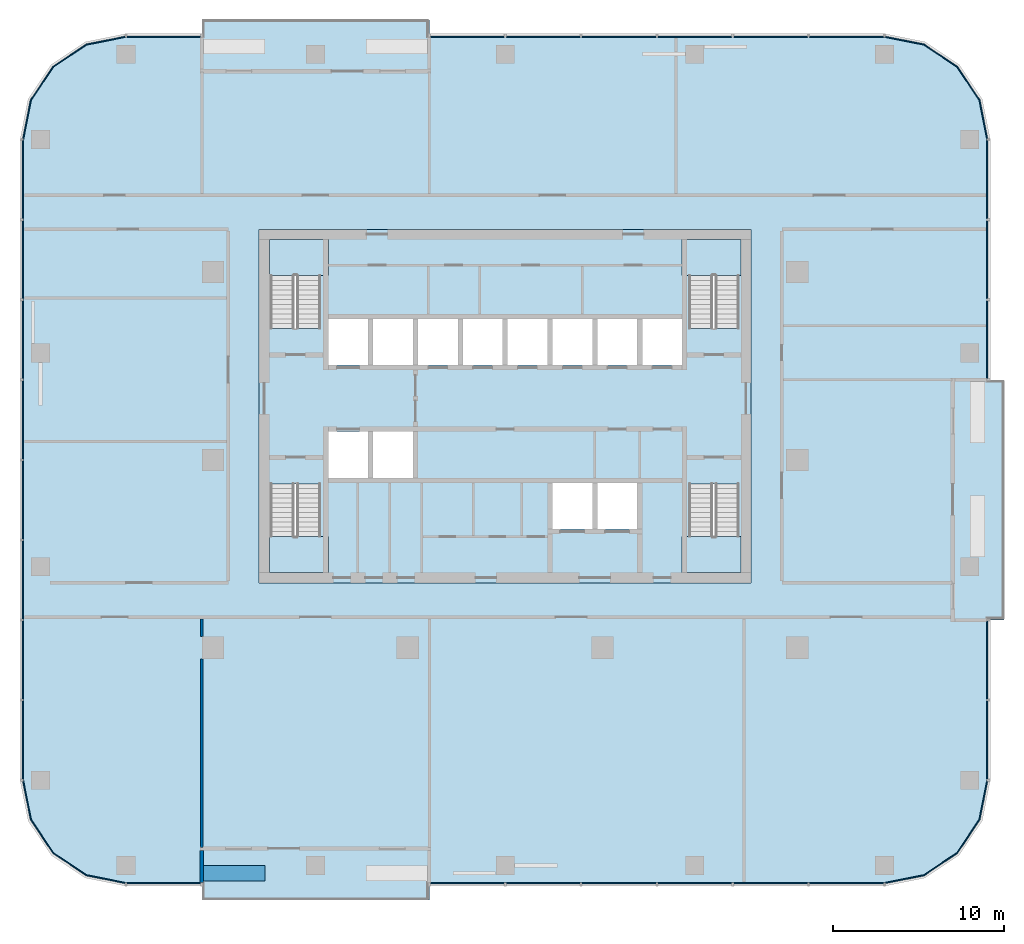
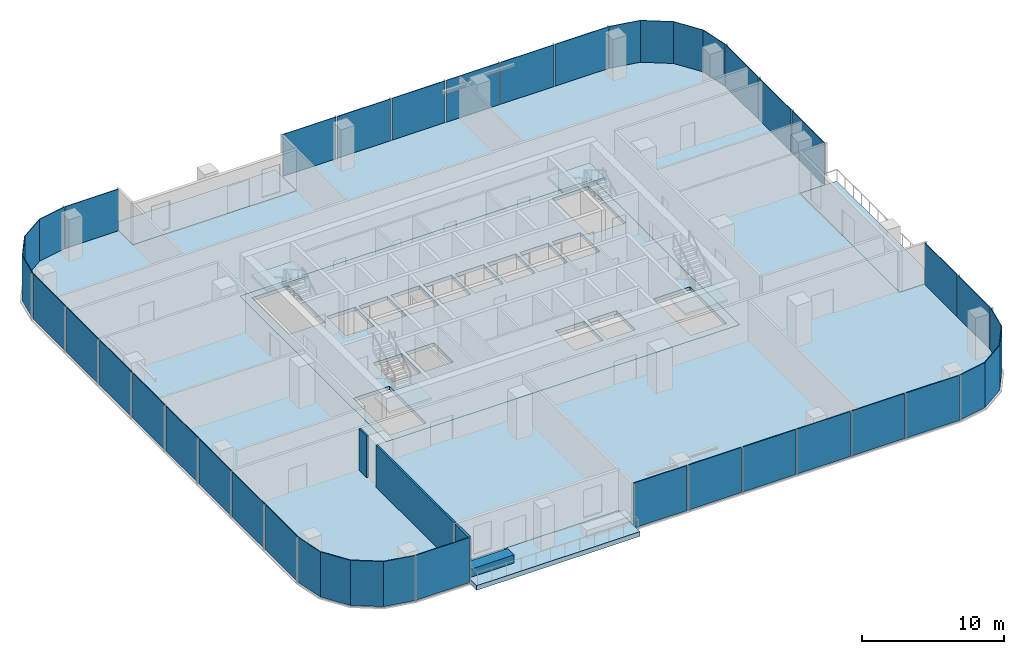
# One storey, part 6 of 14: 31 plates, 9 slabs, 4 walls, 15 elements without a shape of their own.
"""IFC4 building model written with IfcOpenShell, lengths in metres."""

from ifc_helpers import new_model, si_unit, direction, frame, frame_2d, origin, origin_2d, place, context, subcontext, project, spatial, polyline, rectangle, outline, extrude, material, layer, layer_set, type_object, element, aggregate, save


model = new_model("IFC4")

# Units and contexts
model_context = context("Model", 3, precision=1e-05, world=origin(), true_north=direction((0.0, 1.0)))
body_context = subcontext(model_context, "Body", "Model", "MODEL_VIEW")
ifc_project = project(units=[si_unit("LENGTHUNIT", "METRE"), si_unit("AREAUNIT", "SQUARE_METRE"), si_unit("VOLUMEUNIT", "CUBIC_METRE"), si_unit("PLANEANGLEUNIT", "RADIAN"), si_unit("MASSUNIT", "GRAM", prefix="KILO")], contexts=[model_context])

# Site, building, storey
site_placement = place(None, origin())
site = spatial("IfcSite", under=ifc_project, at=site_placement, CompositionType="ELEMENT")
building_placement = place(site_placement, origin())
building = spatial("IfcBuilding", under=site, at=building_placement, Name="Mopane Tessera Tower", CompositionType="ELEMENT")
storey_placement = place(building_placement, frame((0.0, 0.0, 231.0)))
storey = spatial("IfcBuildingStorey", under=building, at=storey_placement, Name="L49", CompositionType="ELEMENT", Elevation=231.0)

# Slab
ifc_material_1 = material(Name="Concrete C40/50", Category="concrete")
ifc_layer_1 = layer(ifc_material_1, 0.300048828125)
ifc_layer_set_1 = layer_set([ifc_layer_1], Name="Concrete C40/50")
slab_type_1 = type_object("IfcSlabType", Name="Core floor slab 300 mm", PredefinedType="FLOOR", material=ifc_layer_set_1)
slab_1_placement = place(storey_placement, frame((0.0, 0.0, -0.300048828125)))
element("IfcSlab", 1, at=slab_1_placement, inside=storey, type_object=slab_type_1, Name="L49 core floor slab", PredefinedType="FLOOR", context=body_context, shape_type="SweptSolid", body=[
    extrude(outline(polyline([(-14.39990234375, -7.199951171875), (14.39990234375, -7.199951171875), (14.39990234375, 13.5), (-14.39990234375, 13.5), (-14.39990234375, -7.199951171875)]), holes=[polyline([(-10.35009765625, -1.050048828125), (-8.02490234375, -1.050048828125), (-8.02490234375, 1.64990234375), (-10.35009765625, 1.64990234375), (-10.35009765625, -1.050048828125)]), polyline([(-7.72509765625, -1.050048828125), (-5.39990234375, -1.050048828125), (-5.39990234375, 1.64990234375), (-7.72509765625, 1.64990234375), (-7.72509765625, -1.050048828125)]), polyline([(-10.35009765625, 5.550048828125), (-8.02490234375, 5.550048828125), (-8.02490234375, 8.25), (-10.35009765625, 8.25), (-10.35009765625, 5.550048828125)]), polyline([(-7.72509765625, 5.550048828125), (-5.39990234375, 5.550048828125), (-5.39990234375, 8.25), (-7.72509765625, 8.25), (-7.72509765625, 5.550048828125)]), polyline([(-5.10009765625, 5.550048828125), (-2.77490234375, 5.550048828125), (-2.77490234375, 8.25), (-5.10009765625, 8.25), (-5.10009765625, 5.550048828125)]), polyline([(-2.47509765625, 5.550048828125), (-0.14990234375, 5.550048828125), (-0.14990234375, 8.25), (-2.47509765625, 8.25), (-2.47509765625, 5.550048828125)]), polyline([(0.14990234375, 5.550048828125), (2.47509765625, 5.550048828125), (2.47509765625, 8.25), (0.14990234375, 8.25), (0.14990234375, 5.550048828125)]), polyline([(2.77490234375, 5.550048828125), (5.10009765625, 5.550048828125), (5.10009765625, 8.25), (2.77490234375, 8.25), (2.77490234375, 5.550048828125)]), polyline([(5.39990234375, 5.550048828125), (7.72509765625, 5.550048828125), (7.72509765625, 8.25), (5.39990234375, 8.25), (5.39990234375, 5.550048828125)]), polyline([(8.02490234375, 5.550048828125), (10.35009765625, 5.550048828125), (10.35009765625, 8.25), (8.02490234375, 8.25), (8.02490234375, 5.550048828125)]), polyline([(2.77490234375, -4.050048828125), (5.10009765625, -4.050048828125), (5.10009765625, -1.35009765625), (2.77490234375, -1.35009765625), (2.77490234375, -4.050048828125)]), polyline([(5.39990234375, -4.050048828125), (7.72509765625, -4.050048828125), (7.72509765625, -1.35009765625), (5.39990234375, -1.35009765625), (5.39990234375, -4.050048828125)]), polyline([(-13.75, -1.405029296875), (-13.75, -6.60009765625), (-10.800048828125, -6.60009765625), (-10.800048828125, -1.405029296875), (-13.75, -1.405029296875)]), polyline([(-10.800048828125, 7.705078125), (-10.800048828125, 12.89990234375), (-13.75, 12.89990234375), (-13.75, 7.705078125), (-10.800048828125, 7.705078125)]), polyline([(10.75, -1.405029296875), (10.75, -6.60009765625), (13.699951171875, -6.60009765625), (13.699951171875, -1.405029296875), (10.75, -1.405029296875)]), polyline([(13.699951171875, 7.705078125), (13.699951171875, 12.89990234375), (10.75, 12.89990234375), (10.75, 7.705078125), (13.699951171875, 7.705078125)])]), origin(), (0.0, 0.0, 1.0), 0.300048828125),
])

# Stair, slab
ifc_material_2 = material(Name="Concrete C50/60", Category="concrete")
stair_type = type_object("IfcStairType", Name="Escape stair 1400 mm, riser 167 mm", PredefinedType="HALF_TURN_STAIR", material=ifc_material_2)
stair_1_placement = place(storey_placement, origin())
stair_1 = element("IfcStair", 2, at=stair_1_placement, inside=storey, type_object=stair_type, Name="L49 Escape stair south-west", PredefinedType="HALF_TURN_STAIR")
ifc_material_3 = material(Name="Concrete C50/60", Category="concrete")
ifc_layer_2 = layer(ifc_material_3, 0.199951171875)
ifc_layer_set_2 = layer_set([ifc_layer_2], Name="Concrete C50/60")
slab_type_2 = type_object("IfcSlabType", Name="Escape stair landing 200 mm", PredefinedType="LANDING", material=ifc_layer_set_2)
slab_2_placement = place(storey_placement, frame((0.0, 0.0, 1.800048828125)))
slab_2 = element("IfcSlab", 3, at=slab_2_placement, type_object=slab_type_2, Name="ST1 landing 1", PredefinedType="LANDING", context=body_context, shape_type="SweptSolid", body=[
    extrude(outline(polyline([(-13.800048828125, -4.47998046875), (-13.800048828125, -6.60009765625), (-10.35009765625, -6.60009765625), (-10.35009765625, -4.47998046875), (-13.800048828125, -4.47998046875)])), origin(), (0.0, 0.0, 1.0), 0.199951171875),
])
aggregate(stair_1, [slab_2])

stair_2_placement = place(storey_placement, origin())
stair_2 = element("IfcStair", 4, at=stair_2_placement, inside=storey, type_object=stair_type, Name="L49 Escape stair north-west", PredefinedType="HALF_TURN_STAIR")
slab_3_placement = place(storey_placement, frame((0.0, 0.0, 1.800048828125)))
slab_3 = element("IfcSlab", 5, at=slab_3_placement, type_object=slab_type_2, Name="ST2 landing 1", PredefinedType="LANDING", context=body_context, shape_type="SweptSolid", body=[
    extrude(outline(polyline([(-10.35009765625, 10.780029296875), (-10.35009765625, 12.89990234375), (-13.800048828125, 12.89990234375), (-13.800048828125, 10.780029296875), (-10.35009765625, 10.780029296875)])), origin(), (0.0, 0.0, 1.0), 0.199951171875),
])
aggregate(stair_2, [slab_3])

stair_3_placement = place(storey_placement, origin())
stair_3 = element("IfcStair", 6, at=stair_3_placement, inside=storey, type_object=stair_type, Name="L49 Escape stair south-east", PredefinedType="HALF_TURN_STAIR")
slab_4_placement = place(storey_placement, frame((0.0, 0.0, 1.800048828125)))
slab_4 = element("IfcSlab", 7, at=slab_4_placement, type_object=slab_type_2, Name="ST3 landing 1", PredefinedType="LANDING", context=body_context, shape_type="SweptSolid", body=[
    extrude(outline(polyline([(10.35009765625, -4.47998046875), (10.35009765625, -6.60009765625), (13.800048828125, -6.60009765625), (13.800048828125, -4.47998046875), (10.35009765625, -4.47998046875)])), origin(), (0.0, 0.0, 1.0), 0.199951171875),
])
aggregate(stair_3, [slab_4])

stair_4_placement = place(storey_placement, origin())
stair_4 = element("IfcStair", 8, at=stair_4_placement, inside=storey, type_object=stair_type, Name="L49 Escape stair north-east", PredefinedType="HALF_TURN_STAIR")
slab_5_placement = place(storey_placement, frame((0.0, 0.0, 1.800048828125)))
slab_5 = element("IfcSlab", 9, at=slab_5_placement, type_object=slab_type_2, Name="ST4 landing 1", PredefinedType="LANDING", context=body_context, shape_type="SweptSolid", body=[
    extrude(outline(polyline([(13.800048828125, 10.780029296875), (13.800048828125, 12.89990234375), (10.35009765625, 12.89990234375), (10.35009765625, 10.780029296875), (13.800048828125, 10.780029296875)])), origin(), (0.0, 0.0, 1.0), 0.199951171875),
])
aggregate(stair_4, [slab_5])

# Slabs
ifc_material_4 = material(Name="Concrete C40/50", Category="concrete")
ifc_layer_3 = layer(ifc_material_4, 0.39990234375)
ifc_layer_set_3 = layer_set([ifc_layer_3], Name="Concrete C40/50")
slab_type_3 = type_object("IfcSlabType", Name="Planted terrace slab 400 mm", PredefinedType="FLOOR", material=ifc_layer_set_3)
slab_6_placement = place(storey_placement, frame((0.0, 0.0, -0.39990234375)))
element("IfcSlab", 10, at=slab_6_placement, inside=storey, type_object=slab_type_3, Name="Terrace slab N1 L49", PredefinedType="FLOOR", context=body_context, shape_type="SweptSolid", body=[
    extrude(outline(polyline([(-4.43994140625, -25.75), (-4.43994140625, -22.75), (-17.760009765625, -22.75), (-17.760009765625, -25.75), (-4.43994140625, -25.75)])), origin(), (0.0, 0.0, 1.0), 0.39990234375),
])
slab_7_placement = place(storey_placement, frame((0.0, 0.0, -0.39990234375)))
element("IfcSlab", 11, at=slab_7_placement, inside=storey, type_object=slab_type_3, Name="Terrace slab N2 L49", PredefinedType="FLOOR", context=body_context, shape_type="SweptSolid", body=[
    extrude(outline(polyline([(29.199951171875, 4.6875), (26.199951171875, 4.6875), (26.199951171875, -9.375), (29.199951171875, -9.375), (29.199951171875, 4.6875)])), origin(), (0.0, 0.0, 1.0), 0.39990234375),
])
slab_8_placement = place(storey_placement, frame((0.0, 0.0, -0.39990234375)))
element("IfcSlab", 12, at=slab_8_placement, inside=storey, type_object=slab_type_3, Name="Terrace slab N3 L49", PredefinedType="FLOOR", context=body_context, shape_type="SweptSolid", body=[
    extrude(outline(polyline([(-17.760009765625, 25.75), (-17.760009765625, 22.75), (-4.43994140625, 22.75), (-4.43994140625, 25.75), (-17.760009765625, 25.75)])), origin(), (0.0, 0.0, 1.0), 0.39990234375),
])
ifc_material_5 = material(Name="Concrete C40/50", Category="concrete")
ifc_layer_4 = layer(ifc_material_5, 0.39990234375)
ifc_layer_set_4 = layer_set([ifc_layer_4], Name="Concrete C40/50")
slab_type_4 = type_object("IfcSlabType", Name="Post-tensioned flat plate 400 mm", PredefinedType="FLOOR", material=ifc_layer_set_4)
slab_9_placement = place(storey_placement, frame((0.0, 0.0, -0.39990234375)))
element("IfcSlab", 13, at=slab_9_placement, inside=storey, type_object=slab_type_4, Name="Floor slab L49", PredefinedType="FLOOR", context=body_context, shape_type="SweptSolid", body=[
    extrude(outline(polyline([(-22.199951171875, -24.75), (-17.760009765625, -24.75), (-17.760009765625, -22.75), (-4.43994140625, -22.75), (-4.43994140625, -24.75), (22.199951171875, -24.75), (24.49609375, -24.293212890625), (26.442626953125, -22.99267578125), (27.7431640625, -21.046142578125), (28.199951171875, -18.75), (28.199951171875, -9.375), (26.199951171875, -9.375), (26.199951171875, 4.6875), (28.199951171875, 4.6875), (28.199951171875, 18.75), (27.7431640625, 21.046142578125), (26.442626953125, 22.99267578125), (24.49609375, 24.293212890625), (22.199951171875, 24.75), (-4.43994140625, 24.75), (-4.43994140625, 22.75), (-17.760009765625, 22.75), (-17.760009765625, 24.75), (-22.199951171875, 24.75), (-24.49609375, 24.293212890625), (-26.442626953125, 22.99267578125), (-27.7431640625, 21.046142578125), (-28.199951171875, 18.75), (-28.199951171875, -18.75), (-27.7431640625, -21.046142578125), (-26.442626953125, -22.99267578125), (-24.49609375, -24.293212890625), (-22.199951171875, -24.75)]), holes=[polyline([(14.39990234375, -7.199951171875), (-14.39990234375, -7.199951171875), (-14.39990234375, 13.5), (14.39990234375, 13.5), (14.39990234375, -7.199951171875)])]), origin(), (0.0, 0.0, 1.0), 0.39990234375),
])

# Curtain wall, plate
ifc_material_6 = material(Name="Aluminium frame", Category="aluminium")
curtain_wall_type = type_object("IfcCurtainWallType", Name="Unitised curtain wall", PredefinedType="NOTDEFINED", material=ifc_material_6)
curtain_wall_1_placement = place(storey_placement, origin())
curtain_wall_1 = element("IfcCurtainWall", 14, at=curtain_wall_1_placement, inside=storey, type_object=curtain_wall_type, Name="e:cw:L49:S:0", PredefinedType="NOTDEFINED")
ifc_material_7 = material(Name="Clear laminated glass", Category="glass")
ifc_layer_5 = layer(ifc_material_7, 0.06005859375)
ifc_layer_set_5 = layer_set([ifc_layer_5], Name="Clear laminated glass")
plate_type = type_object("IfcPlateType", Name="Unitised glazed unit", PredefinedType="CURTAIN_PANEL", material=ifc_layer_set_5)
plate_1_placement = place(storey_placement, frame((-19.97998046875, -24.780029296875, -0.280029296875), z_axis=(0.0, 0.0, 1.0), x_axis=(1.0, 0.0, 0.0)))
plate_1 = element("IfcPlate", 15, at=plate_1_placement, type_object=plate_type, Name="e:cw:L49:S:0:pn0", PredefinedType="CURTAIN_PANEL", context=body_context, shape_type="SweptSolid", body=[
    extrude(rectangle(XDim=4.340087890625, YDim=0.06005859375, at=origin_2d()), origin(), (0.0, 0.0, 1.0), 3.8798828125),
])
aggregate(curtain_wall_1, [plate_1])

# Curtain wall, plates
curtain_wall_2_placement = place(storey_placement, origin())
curtain_wall_2 = element("IfcCurtainWall", 16, at=curtain_wall_2_placement, inside=storey, type_object=curtain_wall_type, Name="e:cw:L49:S:4", PredefinedType="NOTDEFINED")
plate_2_placement = place(storey_placement, frame((-2.219970703125, -24.780029296875, -0.280029296875), z_axis=(0.0, 0.0, 1.0), x_axis=(1.0, 0.0, 0.0)))
plate_2 = element("IfcPlate", 17, at=plate_2_placement, type_object=plate_type, Name="e:cw:L49:S:4:pn4", PredefinedType="CURTAIN_PANEL", context=body_context, shape_type="SweptSolid", body=[
    extrude(rectangle(XDim=4.340087890625, YDim=0.06005859375, at=origin_2d()), origin(), (0.0, 0.0, 1.0), 3.8798828125),
])
plate_3_placement = place(storey_placement, frame((2.219970703125, -24.780029296875, -0.280029296875), z_axis=(0.0, 0.0, 1.0), x_axis=(1.0, 0.0, 0.0)))
plate_3 = element("IfcPlate", 18, at=plate_3_placement, type_object=plate_type, Name="e:cw:L49:S:4:pn5", PredefinedType="CURTAIN_PANEL", context=body_context, shape_type="SweptSolid", body=[
    extrude(rectangle(XDim=4.340087890625, YDim=0.06005859375, at=origin_2d()), origin(), (0.0, 0.0, 1.0), 3.8798828125),
])
plate_4_placement = place(storey_placement, frame((6.659912109375, -24.780029296875, -0.280029296875), z_axis=(0.0, 0.0, 1.0), x_axis=(1.0, 0.0, 0.0)))
plate_4 = element("IfcPlate", 19, at=plate_4_placement, type_object=plate_type, Name="e:cw:L49:S:4:pn6", PredefinedType="CURTAIN_PANEL", context=body_context, shape_type="SweptSolid", body=[
    extrude(rectangle(XDim=4.340087890625, YDim=0.06005859375, at=origin_2d()), origin(), (0.0, 0.0, 1.0), 3.8798828125),
])
plate_5_placement = place(storey_placement, frame((11.10009765625, -24.780029296875, -0.280029296875), z_axis=(0.0, 0.0, 1.0), x_axis=(1.0, 0.0, 0.0)))
plate_5 = element("IfcPlate", 20, at=plate_5_placement, type_object=plate_type, Name="e:cw:L49:S:4:pn7", PredefinedType="CURTAIN_PANEL", context=body_context, shape_type="SweptSolid", body=[
    extrude(rectangle(XDim=4.340087890625, YDim=0.06005859375, at=origin_2d()), origin(), (0.0, 0.0, 1.0), 3.8798828125),
])
plate_6_placement = place(storey_placement, frame((15.5400390625, -24.780029296875, -0.280029296875), z_axis=(0.0, 0.0, 1.0), x_axis=(1.0, 0.0, 0.0)))
plate_6 = element("IfcPlate", 21, at=plate_6_placement, type_object=plate_type, Name="e:cw:L49:S:4:pn8", PredefinedType="CURTAIN_PANEL", context=body_context, shape_type="SweptSolid", body=[
    extrude(rectangle(XDim=4.340087890625, YDim=0.06005859375, at=origin_2d()), origin(), (0.0, 0.0, 1.0), 3.8798828125),
])
plate_7_placement = place(storey_placement, frame((19.97998046875, -24.780029296875, -0.280029296875), z_axis=(0.0, 0.0, 1.0), x_axis=(1.0, 0.0, 0.0)))
plate_7 = element("IfcPlate", 22, at=plate_7_placement, type_object=plate_type, Name="e:cw:L49:S:4:pn9", PredefinedType="CURTAIN_PANEL", context=body_context, shape_type="SweptSolid", body=[
    extrude(rectangle(XDim=4.340087890625, YDim=0.06005859375, at=origin_2d()), origin(), (0.0, 0.0, 1.0), 3.8798828125),
])
aggregate(curtain_wall_2, [plate_2, plate_3, plate_4, plate_5, plate_6, plate_7])

# Curtain wall, plate
curtain_wall_3_placement = place(storey_placement, origin())
curtain_wall_3 = element("IfcCurtainWall", 23, at=curtain_wall_3_placement, inside=storey, type_object=curtain_wall_type, Name="e:cw:L49:CS", PredefinedType="NOTDEFINED")
plate_8_placement = place(storey_placement, frame((0.0, 0.0, -0.280029296875)))
plate_8 = element("IfcPlate", 24, at=plate_8_placement, type_object=plate_type, Name="e:cw:L49:CS:pn", PredefinedType="CURTAIN_PANEL", context=body_context, shape_type="SweptSolid", body=[
    extrude(outline(polyline([(22.199951171875, -24.75), (24.49609375, -24.293212890625), (26.442626953125, -22.99267578125), (27.7431640625, -21.046142578125), (28.199951171875, -18.75), (28.260009765625, -18.75), (27.798828125, -21.069091796875), (26.485107421875, -23.03515625), (24.51904296875, -24.3486328125), (22.199951171875, -24.81005859375), (22.199951171875, -24.75)])), origin(), (0.0, 0.0, 1.0), 3.880126953125),
])
aggregate(curtain_wall_3, [plate_8])

# Curtain wall, plates
curtain_wall_4_placement = place(storey_placement, origin())
curtain_wall_4 = element("IfcCurtainWall", 25, at=curtain_wall_4_placement, inside=storey, type_object=curtain_wall_type, Name="e:cw:L49:E:0", PredefinedType="NOTDEFINED")
plate_9_placement = place(storey_placement, frame((28.22998046875, -16.40625, -0.280029296875), z_axis=(0.0, 0.0, 1.0), x_axis=(0.0, 1.0, 0.0)))
plate_9 = element("IfcPlate", 26, at=plate_9_placement, type_object=plate_type, Name="e:cw:L49:E:0:pn0", PredefinedType="CURTAIN_PANEL", context=body_context, shape_type="SweptSolid", body=[
    extrude(rectangle(XDim=4.58740234375, YDim=0.06005859375, at=origin_2d()), origin(), (0.0, 0.0, 1.0), 3.8798828125),
])
plate_10_placement = place(storey_placement, frame((28.22998046875, -11.71875, -0.280029296875), z_axis=(0.0, 0.0, 1.0), x_axis=(0.0, 1.0, 0.0)))
plate_10 = element("IfcPlate", 27, at=plate_10_placement, type_object=plate_type, Name="e:cw:L49:E:0:pn1", PredefinedType="CURTAIN_PANEL", context=body_context, shape_type="SweptSolid", body=[
    extrude(rectangle(XDim=4.58740234375, YDim=0.06005859375, at=origin_2d()), origin(), (0.0, 0.0, 1.0), 3.8798828125),
])
aggregate(curtain_wall_4, [plate_9, plate_10])

curtain_wall_5_placement = place(storey_placement, origin())
curtain_wall_5 = element("IfcCurtainWall", 28, at=curtain_wall_5_placement, inside=storey, type_object=curtain_wall_type, Name="e:cw:L49:E:5", PredefinedType="NOTDEFINED")
plate_11_placement = place(storey_placement, frame((28.22998046875, 7.03125, -0.280029296875), z_axis=(0.0, 0.0, 1.0), x_axis=(0.0, 1.0, 0.0)))
plate_11 = element("IfcPlate", 29, at=plate_11_placement, type_object=plate_type, Name="e:cw:L49:E:5:pn5", PredefinedType="CURTAIN_PANEL", context=body_context, shape_type="SweptSolid", body=[
    extrude(rectangle(XDim=4.58740234375, YDim=0.06005859375, at=origin_2d()), origin(), (0.0, 0.0, 1.0), 3.8798828125),
])
plate_12_placement = place(storey_placement, frame((28.22998046875, 11.71875, -0.280029296875), z_axis=(0.0, 0.0, 1.0), x_axis=(0.0, 1.0, 0.0)))
plate_12 = element("IfcPlate", 30, at=plate_12_placement, type_object=plate_type, Name="e:cw:L49:E:5:pn6", PredefinedType="CURTAIN_PANEL", context=body_context, shape_type="SweptSolid", body=[
    extrude(rectangle(XDim=4.58740234375, YDim=0.06005859375, at=origin_2d()), origin(), (0.0, 0.0, 1.0), 3.8798828125),
])
plate_13_placement = place(storey_placement, frame((28.22998046875, 16.40625, -0.280029296875), z_axis=(0.0, 0.0, 1.0), x_axis=(0.0, 1.0, 0.0)))
plate_13 = element("IfcPlate", 31, at=plate_13_placement, type_object=plate_type, Name="e:cw:L49:E:5:pn7", PredefinedType="CURTAIN_PANEL", context=body_context, shape_type="SweptSolid", body=[
    extrude(rectangle(XDim=4.58740234375, YDim=0.06005859375, at=origin_2d()), origin(), (0.0, 0.0, 1.0), 3.8798828125),
])
aggregate(curtain_wall_5, [plate_11, plate_12, plate_13])

# Curtain wall, plate
curtain_wall_6_placement = place(storey_placement, origin())
curtain_wall_6 = element("IfcCurtainWall", 32, at=curtain_wall_6_placement, inside=storey, type_object=curtain_wall_type, Name="e:cw:L49:CE", PredefinedType="NOTDEFINED")
plate_14_placement = place(storey_placement, frame((0.0, 0.0, -0.280029296875)))
plate_14 = element("IfcPlate", 33, at=plate_14_placement, type_object=plate_type, Name="e:cw:L49:CE:pn", PredefinedType="CURTAIN_PANEL", context=body_context, shape_type="SweptSolid", body=[
    extrude(outline(polyline([(28.199951171875, 18.75), (27.7431640625, 21.046142578125), (26.442626953125, 22.99267578125), (24.49609375, 24.293212890625), (22.199951171875, 24.75), (22.199951171875, 24.81005859375), (24.51904296875, 24.3486328125), (26.485107421875, 23.03515625), (27.798828125, 21.069091796875), (28.260009765625, 18.75), (28.199951171875, 18.75)])), origin(), (0.0, 0.0, 1.0), 3.880126953125),
])
aggregate(curtain_wall_6, [plate_14])

# Curtain wall, plates
curtain_wall_7_placement = place(storey_placement, origin())
curtain_wall_7 = element("IfcCurtainWall", 34, at=curtain_wall_7_placement, inside=storey, type_object=curtain_wall_type, Name="e:cw:L49:N:0", PredefinedType="NOTDEFINED")
plate_15_placement = place(storey_placement, frame((19.97998046875, 24.780029296875, -0.280029296875), z_axis=(0.0, 0.0, 1.0), x_axis=(-1.0, 0.0, 0.0)))
plate_15 = element("IfcPlate", 35, at=plate_15_placement, type_object=plate_type, Name="e:cw:L49:N:0:pn0", PredefinedType="CURTAIN_PANEL", context=body_context, shape_type="SweptSolid", body=[
    extrude(rectangle(XDim=4.340087890625, YDim=0.06005859375, at=origin_2d()), origin(), (0.0, 0.0, 1.0), 3.8798828125),
])
plate_16_placement = place(storey_placement, frame((15.5400390625, 24.780029296875, -0.280029296875), z_axis=(0.0, 0.0, 1.0), x_axis=(-1.0, 0.0, 0.0)))
plate_16 = element("IfcPlate", 36, at=plate_16_placement, type_object=plate_type, Name="e:cw:L49:N:0:pn1", PredefinedType="CURTAIN_PANEL", context=body_context, shape_type="SweptSolid", body=[
    extrude(rectangle(XDim=4.340087890625, YDim=0.06005859375, at=origin_2d()), origin(), (0.0, 0.0, 1.0), 3.8798828125),
])
plate_17_placement = place(storey_placement, frame((11.10009765625, 24.780029296875, -0.280029296875), z_axis=(0.0, 0.0, 1.0), x_axis=(-1.0, 0.0, 0.0)))
plate_17 = element("IfcPlate", 37, at=plate_17_placement, type_object=plate_type, Name="e:cw:L49:N:0:pn2", PredefinedType="CURTAIN_PANEL", context=body_context, shape_type="SweptSolid", body=[
    extrude(rectangle(XDim=4.340087890625, YDim=0.06005859375, at=origin_2d()), origin(), (0.0, 0.0, 1.0), 3.8798828125),
])
plate_18_placement = place(storey_placement, frame((6.659912109375, 24.780029296875, -0.280029296875), z_axis=(0.0, 0.0, 1.0), x_axis=(-1.0, 0.0, 0.0)))
plate_18 = element("IfcPlate", 38, at=plate_18_placement, type_object=plate_type, Name="e:cw:L49:N:0:pn3", PredefinedType="CURTAIN_PANEL", context=body_context, shape_type="SweptSolid", body=[
    extrude(rectangle(XDim=4.340087890625, YDim=0.06005859375, at=origin_2d()), origin(), (0.0, 0.0, 1.0), 3.8798828125),
])
plate_19_placement = place(storey_placement, frame((2.219970703125, 24.780029296875, -0.280029296875), z_axis=(0.0, 0.0, 1.0), x_axis=(-1.0, 0.0, 0.0)))
plate_19 = element("IfcPlate", 39, at=plate_19_placement, type_object=plate_type, Name="e:cw:L49:N:0:pn4", PredefinedType="CURTAIN_PANEL", context=body_context, shape_type="SweptSolid", body=[
    extrude(rectangle(XDim=4.340087890625, YDim=0.06005859375, at=origin_2d()), origin(), (0.0, 0.0, 1.0), 3.8798828125),
])
plate_20_placement = place(storey_placement, frame((-2.219970703125, 24.780029296875, -0.280029296875), z_axis=(0.0, 0.0, 1.0), x_axis=(-1.0, 0.0, 0.0)))
plate_20 = element("IfcPlate", 40, at=plate_20_placement, type_object=plate_type, Name="e:cw:L49:N:0:pn5", PredefinedType="CURTAIN_PANEL", context=body_context, shape_type="SweptSolid", body=[
    extrude(rectangle(XDim=4.340087890625, YDim=0.06005859375, at=origin_2d()), origin(), (0.0, 0.0, 1.0), 3.8798828125),
])
aggregate(curtain_wall_7, [plate_15, plate_16, plate_17, plate_18, plate_19, plate_20])

# Curtain wall, plate
curtain_wall_8_placement = place(storey_placement, origin())
curtain_wall_8 = element("IfcCurtainWall", 41, at=curtain_wall_8_placement, inside=storey, type_object=curtain_wall_type, Name="e:cw:L49:N:9", PredefinedType="NOTDEFINED")
plate_21_placement = place(storey_placement, frame((-19.97998046875, 24.780029296875, -0.280029296875), z_axis=(0.0, 0.0, 1.0), x_axis=(-1.0, 0.0, 0.0)))
plate_21 = element("IfcPlate", 42, at=plate_21_placement, type_object=plate_type, Name="e:cw:L49:N:9:pn9", PredefinedType="CURTAIN_PANEL", context=body_context, shape_type="SweptSolid", body=[
    extrude(rectangle(XDim=4.340087890625, YDim=0.06005859375, at=origin_2d()), origin(), (0.0, 0.0, 1.0), 3.8798828125),
])
aggregate(curtain_wall_8, [plate_21])

curtain_wall_9_placement = place(storey_placement, origin())
curtain_wall_9 = element("IfcCurtainWall", 43, at=curtain_wall_9_placement, inside=storey, type_object=curtain_wall_type, Name="e:cw:L49:CN", PredefinedType="NOTDEFINED")
plate_22_placement = place(storey_placement, frame((0.0, 0.0, -0.280029296875)))
plate_22 = element("IfcPlate", 44, at=plate_22_placement, type_object=plate_type, Name="e:cw:L49:CN:pn", PredefinedType="CURTAIN_PANEL", context=body_context, shape_type="SweptSolid", body=[
    extrude(outline(polyline([(-22.199951171875, 24.75), (-24.49609375, 24.293212890625), (-26.442626953125, 22.99267578125), (-27.7431640625, 21.046142578125), (-28.199951171875, 18.75), (-28.260009765625, 18.75), (-27.798828125, 21.069091796875), (-26.485107421875, 23.03515625), (-24.51904296875, 24.3486328125), (-22.199951171875, 24.81005859375), (-22.199951171875, 24.75)])), origin(), (0.0, 0.0, 1.0), 3.880126953125),
])
aggregate(curtain_wall_9, [plate_22])

# Curtain wall, plates
curtain_wall_10_placement = place(storey_placement, origin())
curtain_wall_10 = element("IfcCurtainWall", 45, at=curtain_wall_10_placement, inside=storey, type_object=curtain_wall_type, Name="e:cw:L49:W:0", PredefinedType="NOTDEFINED")
plate_23_placement = place(storey_placement, frame((-28.22998046875, 16.40625, -0.280029296875), z_axis=(0.0, 0.0, 1.0), x_axis=(0.0, -1.0, 0.0)))
plate_23 = element("IfcPlate", 46, at=plate_23_placement, type_object=plate_type, Name="e:cw:L49:W:0:pn0", PredefinedType="CURTAIN_PANEL", context=body_context, shape_type="SweptSolid", body=[
    extrude(rectangle(XDim=4.58740234375, YDim=0.06005859375, at=origin_2d()), origin(), (0.0, 0.0, 1.0), 3.8798828125),
])
plate_24_placement = place(storey_placement, frame((-28.22998046875, 11.71875, -0.280029296875), z_axis=(0.0, 0.0, 1.0), x_axis=(0.0, -1.0, 0.0)))
plate_24 = element("IfcPlate", 47, at=plate_24_placement, type_object=plate_type, Name="e:cw:L49:W:0:pn1", PredefinedType="CURTAIN_PANEL", context=body_context, shape_type="SweptSolid", body=[
    extrude(rectangle(XDim=4.58740234375, YDim=0.06005859375, at=origin_2d()), origin(), (0.0, 0.0, 1.0), 3.8798828125),
])
plate_25_placement = place(storey_placement, frame((-28.22998046875, 7.03125, -0.280029296875), z_axis=(0.0, 0.0, 1.0), x_axis=(0.0, -1.0, 0.0)))
plate_25 = element("IfcPlate", 48, at=plate_25_placement, type_object=plate_type, Name="e:cw:L49:W:0:pn2", PredefinedType="CURTAIN_PANEL", context=body_context, shape_type="SweptSolid", body=[
    extrude(rectangle(XDim=4.58740234375, YDim=0.06005859375, at=origin_2d()), origin(), (0.0, 0.0, 1.0), 3.8798828125),
])
plate_26_placement = place(storey_placement, frame((-28.22998046875, 2.34375, -0.280029296875), z_axis=(0.0, 0.0, 1.0), x_axis=(0.0, -1.0, 0.0)))
plate_26 = element("IfcPlate", 49, at=plate_26_placement, type_object=plate_type, Name="e:cw:L49:W:0:pn3", PredefinedType="CURTAIN_PANEL", context=body_context, shape_type="SweptSolid", body=[
    extrude(rectangle(XDim=4.58740234375, YDim=0.06005859375, at=origin_2d()), origin(), (0.0, 0.0, 1.0), 3.8798828125),
])
plate_27_placement = place(storey_placement, frame((-28.22998046875, -2.34375, -0.280029296875), z_axis=(0.0, 0.0, 1.0), x_axis=(0.0, -1.0, 0.0)))
plate_27 = element("IfcPlate", 50, at=plate_27_placement, type_object=plate_type, Name="e:cw:L49:W:0:pn4", PredefinedType="CURTAIN_PANEL", context=body_context, shape_type="SweptSolid", body=[
    extrude(rectangle(XDim=4.58740234375, YDim=0.06005859375, at=origin_2d()), origin(), (0.0, 0.0, 1.0), 3.8798828125),
])
plate_28_placement = place(storey_placement, frame((-28.22998046875, -7.03125, -0.280029296875), z_axis=(0.0, 0.0, 1.0), x_axis=(0.0, -1.0, 0.0)))
plate_28 = element("IfcPlate", 51, at=plate_28_placement, type_object=plate_type, Name="e:cw:L49:W:0:pn5", PredefinedType="CURTAIN_PANEL", context=body_context, shape_type="SweptSolid", body=[
    extrude(rectangle(XDim=4.58740234375, YDim=0.06005859375, at=origin_2d()), origin(), (0.0, 0.0, 1.0), 3.8798828125),
])
plate_29_placement = place(storey_placement, frame((-28.22998046875, -11.71875, -0.280029296875), z_axis=(0.0, 0.0, 1.0), x_axis=(0.0, -1.0, 0.0)))
plate_29 = element("IfcPlate", 52, at=plate_29_placement, type_object=plate_type, Name="e:cw:L49:W:0:pn6", PredefinedType="CURTAIN_PANEL", context=body_context, shape_type="SweptSolid", body=[
    extrude(rectangle(XDim=4.58740234375, YDim=0.06005859375, at=origin_2d()), origin(), (0.0, 0.0, 1.0), 3.8798828125),
])
plate_30_placement = place(storey_placement, frame((-28.22998046875, -16.40625, -0.280029296875), z_axis=(0.0, 0.0, 1.0), x_axis=(0.0, -1.0, 0.0)))
plate_30 = element("IfcPlate", 53, at=plate_30_placement, type_object=plate_type, Name="e:cw:L49:W:0:pn7", PredefinedType="CURTAIN_PANEL", context=body_context, shape_type="SweptSolid", body=[
    extrude(rectangle(XDim=4.58740234375, YDim=0.06005859375, at=origin_2d()), origin(), (0.0, 0.0, 1.0), 3.8798828125),
])
aggregate(curtain_wall_10, [plate_23, plate_24, plate_25, plate_26, plate_27, plate_28, plate_29, plate_30])

# Curtain wall, plate
curtain_wall_11_placement = place(storey_placement, origin())
curtain_wall_11 = element("IfcCurtainWall", 54, at=curtain_wall_11_placement, inside=storey, type_object=curtain_wall_type, Name="e:cw:L49:CW", PredefinedType="NOTDEFINED")
plate_31_placement = place(storey_placement, frame((0.0, 0.0, -0.280029296875)))
plate_31 = element("IfcPlate", 55, at=plate_31_placement, type_object=plate_type, Name="e:cw:L49:CW:pn", PredefinedType="CURTAIN_PANEL", context=body_context, shape_type="SweptSolid", body=[
    extrude(outline(polyline([(-28.199951171875, -18.75), (-27.7431640625, -21.046142578125), (-26.442626953125, -22.99267578125), (-24.49609375, -24.293212890625), (-22.199951171875, -24.75), (-22.199951171875, -24.81005859375), (-24.51904296875, -24.3486328125), (-26.485107421875, -23.03515625), (-27.798828125, -21.069091796875), (-28.260009765625, -18.75), (-28.199951171875, -18.75)])), origin(), (0.0, 0.0, 1.0), 3.880126953125),
])
aggregate(curtain_wall_11, [plate_31])

# Walls
ifc_material_8 = material(Name="Gypsum board on steel studs, mineral wool infill", Category="steel")
ifc_layer_6 = layer(ifc_material_8, 0.14990234375)
ifc_layer_set_6 = layer_set([ifc_layer_6], Name="Gypsum board on steel studs, mineral wool infill")
wall_type_1 = type_object("IfcWallType", Name="Gypsum board partition 150, rated EI 60", PredefinedType="PARTITIONING", material=ifc_layer_set_6)
wall_1_placement = place(storey_placement, frame((-17.760009765625, -22.699951171875, 0.0), z_axis=(0.0, 0.0, 1.0), x_axis=(0.0, 1.0, 0.0)))
element("IfcWall", 56, at=wall_1_placement, inside=storey, type_object=wall_type_1, Name="Partition L49:010", PredefinedType="PARTITIONING", context=body_context, shape_type="SweptSolid", body=[
    extrude(rectangle(XDim=11.050048828125, YDim=0.14990234375, at=frame_2d((5.52490234375, 0.0))), origin(), (0.0, 0.0, 1.0), 3.60009765625),
])
wall_2_placement = place(storey_placement, frame((-17.760009765625, -10.35009765625, 0.0), z_axis=(0.0, 0.0, 1.0), x_axis=(0.0, 1.0, 0.0)))
element("IfcWall", 57, at=wall_2_placement, inside=storey, type_object=wall_type_1, Name="Partition L49:011", PredefinedType="PARTITIONING", context=body_context, shape_type="SweptSolid", body=[
    extrude(rectangle(XDim=1.050048828125, YDim=0.14990234375, at=frame_2d((0.52490234375, 0.0))), origin(), (0.0, 0.0, 1.0), 3.60009765625),
])
ifc_material_9 = material(Name="Reinforced concrete C32/40 with waterproofing", Category="concrete")
ifc_layer_7 = layer(ifc_material_9, 0.89990234375)
ifc_layer_set_7 = layer_set([ifc_layer_7], Name="Reinforced concrete C32/40 with waterproofing")
wall_type_2 = type_object("IfcWallType", Name="Planter trough 3600 x 900", PredefinedType="STANDARD", material=ifc_layer_set_7)
wall_3_placement = place(storey_placement, frame((-17.659912109375, -24.199951171875, 0.0), z_axis=(0.0, 0.0, 1.0), x_axis=(1.0, 0.0, 0.0)))
element("IfcWall", 58, at=wall_3_placement, inside=storey, type_object=wall_type_2, Name="e:nw:L49:N1:pl0", PredefinedType="STANDARD", context=body_context, shape_type="SweptSolid", body=[
    extrude(rectangle(XDim=3.599853515625, YDim=0.89990234375, at=frame_2d((1.7998046875, 0.0))), origin(), (0.0, 0.0, 1.0), 0.699951171875),
])
ifc_material_10 = material(Name="Blockwork with glazed tile facing", Category="masonry")
ifc_layer_8 = layer(ifc_material_10, 0.199951171875)
ifc_layer_set_8 = layer_set([ifc_layer_8], Name="Blockwork with glazed tile facing")
wall_type_3 = type_object("IfcWallType", Name="Terrace cheek wall 200", PredefinedType="STANDARD", material=ifc_layer_set_8)
wall_4_placement = place(storey_placement, frame((-17.760009765625, -24.75, 0.0), z_axis=(0.0, 0.0, 1.0), x_axis=(0.0, 1.0, 0.0)))
element("IfcWall", 59, at=wall_4_placement, inside=storey, type_object=wall_type_3, Name="e:nw:L49:N1:cheeka", PredefinedType="STANDARD", context=body_context, shape_type="SweptSolid", body=[
    extrude(rectangle(XDim=1.875, YDim=0.199951171875, at=frame_2d((0.9375, 0.0))), origin(), (0.0, 0.0, 1.0), 3.60009765625),
])

save(model, "model.ifc")
